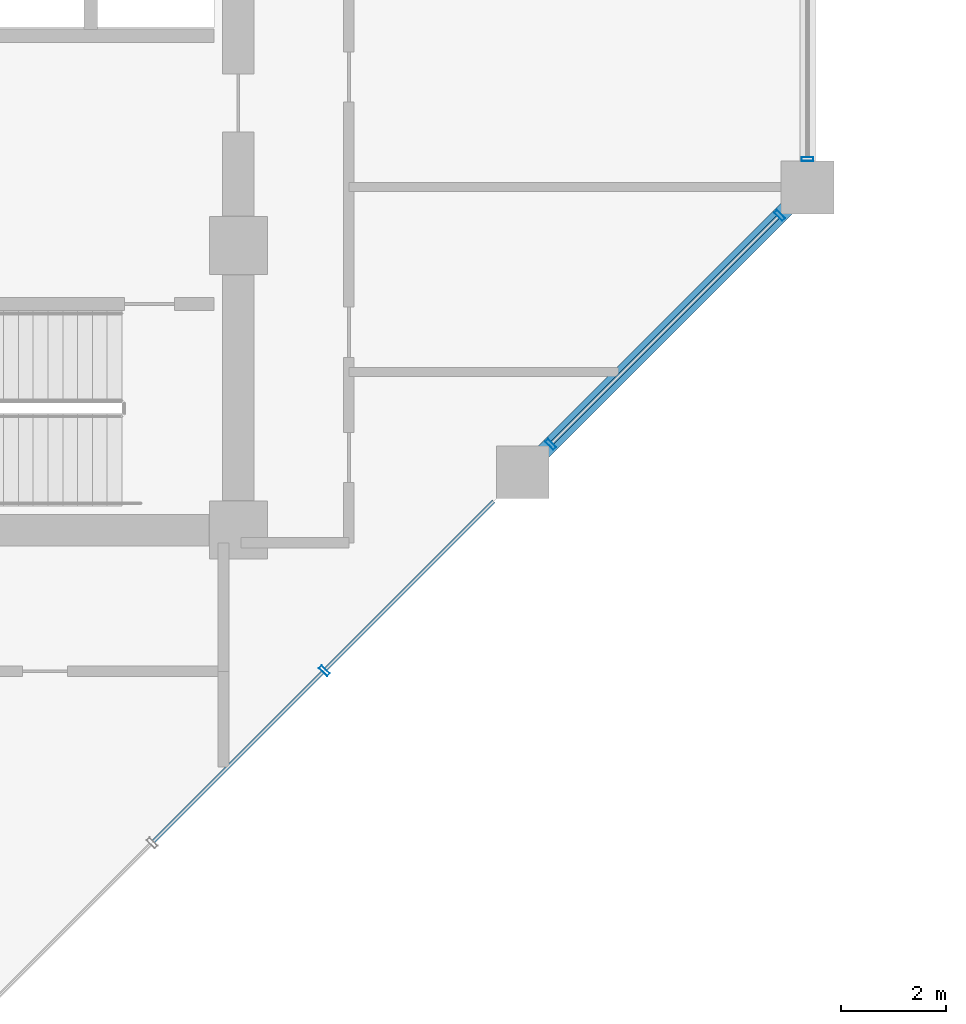
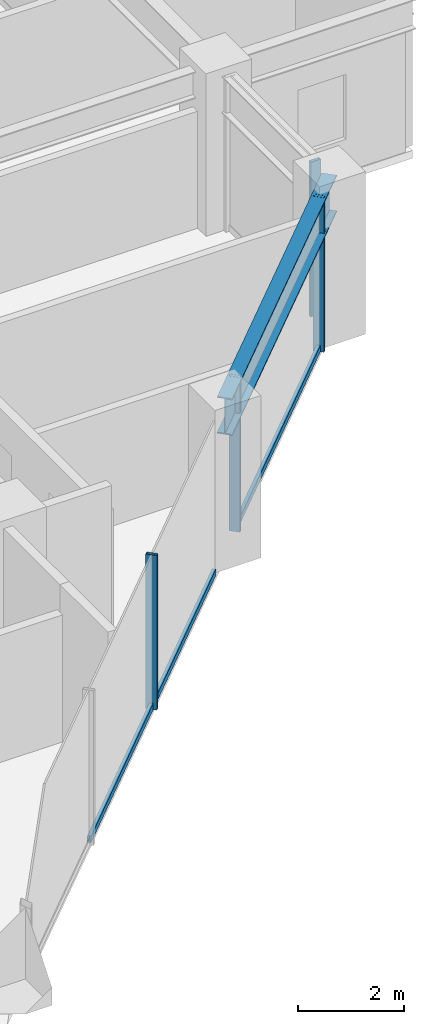
# One storey, part 8 of 26: 7 members, 1 beam, 2 elements without a shape of their own.
"""IFC4 building model written with IfcOpenShell, lengths in metres."""

from ifc_helpers import new_model, si_unit, direction, frame, origin, origin_2d, place, context, subcontext, project, spatial, hollow_rectangle, i_section, extrude, material, layer, layer_set, material_profile, profile_set, type_object, element, aggregate, save


model = new_model("IFC4")

# Units and contexts
model_context = context("Model", 3, precision=1e-05, world=origin(), true_north=direction((0.0, 1.0)))
body_context = subcontext(model_context, "Body", "Model", "MODEL_VIEW")
ifc_project = project(units=[si_unit("LENGTHUNIT", "METRE"), si_unit("AREAUNIT", "SQUARE_METRE"), si_unit("VOLUMEUNIT", "CUBIC_METRE"), si_unit("PLANEANGLEUNIT", "RADIAN"), si_unit("MASSUNIT", "GRAM", prefix="KILO")], contexts=[model_context])

# Site, building, storey
site_placement = place(None, origin())
site = spatial("IfcSite", under=ifc_project, at=site_placement, CompositionType="ELEMENT")
building_placement = place(site_placement, origin())
building = spatial("IfcBuilding", under=site, at=building_placement, Name="Surkhivell Harbour Commons", CompositionType="ELEMENT")
storey_placement = place(building_placement, frame((0.0, 0.0, 147.0)))
storey = spatial("IfcBuildingStorey", under=building, at=storey_placement, Name="L38", CompositionType="ELEMENT", Elevation=147.0)

# Beam
ifc_material_1 = material(Name="Steel S460", Category="steel")
ifc_material_profile_1 = material_profile(ifc_material_1, i_section(OverallWidth=0.2939453125, OverallDepth=0.85107421875, WebThickness=0.01611328125, FlangeThickness=0.02685546875, at=origin_2d()), Name="UB838x292x226")
ifc_profile_set_1 = profile_set([ifc_material_profile_1], Name="Steel S460")
beam_type = type_object("IfcBeamType", Name="BM-SPN-838", PredefinedType="SPANDREL", material=ifc_profile_set_1)
beam_placement = place(storey_placement, frame((16.199951171875, -9.699951171875, 3.14453125), z_axis=(0.707122765516, 0.707090796496, 0.0), x_axis=(-0.707090796496, 0.707122765516, 0.0)))
element("IfcBeam", 1, at=beam_placement, inside=storey, type_object=beam_type, Name="L38 Tube Spandrel (16.2,-9.7)", PredefinedType="SPANDREL", context=body_context, shape_type="SweptSolid", body=[
    extrude(i_section(OverallWidth=0.2939453125, OverallDepth=0.85107421875, WebThickness=0.01611328125, FlangeThickness=0.02685546875, at=origin_2d()), origin(), (0.0, 0.0, 1.0), 7.63671875),
])

# Curtain wall, members
ifc_material_2 = material(Name="Anodised pale-metal aluminium and insulated glazing", Category="aluminium")
ifc_layer = layer(ifc_material_2, 0.205078125)
ifc_layer_set = layer_set([ifc_layer], Name="Anodised pale-metal aluminium and insulated glazing")
curtain_wall_type = type_object("IfcCurtainWallType", Name="CW-SYS-Z2", PredefinedType="NOTDEFINED", material=ifc_layer_set)
curtain_wall_1_placement = place(storey_placement, origin())
curtain_wall_1 = element("IfcCurtainWall", 2, at=curtain_wall_1_placement, inside=storey, type_object=curtain_wall_type, Name="L38 Curtain Wall CW-L38-E01", PredefinedType="NOTDEFINED")
ifc_material_3 = material(Name="Anodised pale-metal aluminium alloy 6063-T6", Category="aluminium")
ifc_material_profile_2 = material_profile(ifc_material_3, hollow_rectangle(XDim=0.074951171875, YDim=0.219970703125, WallThickness=0.00390625, at=origin_2d()), Name="ALU-MULL-75x220")
ifc_profile_set_2 = profile_set([ifc_material_profile_2], Name="Anodised pale-metal aluminium alloy 6063-T6")
member_type_1 = type_object("IfcMemberType", Name="CWM-220", PredefinedType="MULLION", material=ifc_profile_set_2)
member_1_placement = place(storey_placement, frame((12.432861328125, -13.46728515625, 0.0), z_axis=(0.0, 0.0, 1.0), x_axis=(0.707106781187, 0.707106781187, 0.0)))
member_1 = element("IfcMember", 3, at=member_1_placement, type_object=member_type_1, Name="CW-Z2 mullion 4", PredefinedType="MULLION", context=body_context, shape_type="SweptSolid", body=[
    extrude(hollow_rectangle(XDim=0.074951171875, YDim=0.219970703125, WallThickness=0.00390625, at=origin_2d()), origin(), (0.0, 0.0, 1.0), 3.570068359375),
])
member_2_placement = place(storey_placement, frame((16.728271484375, -9.171875, 0.0), z_axis=(0.0, 0.0, 1.0), x_axis=(0.707106781187, 0.707106781187, 0.0)))
member_2 = element("IfcMember", 4, at=member_2_placement, type_object=member_type_1, Name="CW-Z2 mullion 5", PredefinedType="MULLION", context=body_context, shape_type="SweptSolid", body=[
    extrude(hollow_rectangle(XDim=0.074951171875, YDim=0.219970703125, WallThickness=0.00390625, at=origin_2d()), origin(), (0.0, 0.0, 1.0), 3.570068359375),
])
member_3_placement = place(storey_placement, frame((21.07177734375, -4.828125, 0.0), z_axis=(0.0, 0.0, 1.0), x_axis=(0.707106781187, 0.707106781187, 0.0)))
member_3 = element("IfcMember", 5, at=member_3_placement, type_object=member_type_1, Name="CW-Z2 mullion 6", PredefinedType="MULLION", context=body_context, shape_type="SweptSolid", body=[
    extrude(hollow_rectangle(XDim=0.074951171875, YDim=0.219970703125, WallThickness=0.00390625, at=origin_2d()), origin(), (0.0, 0.0, 1.0), 3.570068359375),
])

# Curtain wall, member
curtain_wall_2_placement = place(storey_placement, origin())
curtain_wall_2 = element("IfcCurtainWall", 6, at=curtain_wall_2_placement, inside=storey, type_object=curtain_wall_type, Name="L38 Curtain Wall CW-L38-E02R1", PredefinedType="NOTDEFINED")
member_4_placement = place(storey_placement, frame((21.60009765625, -3.760498046875, 0.0), z_axis=(0.0, 0.0, 1.0), x_axis=(0.0, 1.0, 0.0)))
member_4 = element("IfcMember", 7, at=member_4_placement, type_object=member_type_1, Name="CW-Z2 mullion 1", PredefinedType="MULLION", context=body_context, shape_type="SweptSolid", body=[
    extrude(hollow_rectangle(XDim=0.074951171875, YDim=0.219970703125, WallThickness=0.00390625, at=origin_2d()), origin(), (0.0, 0.0, 1.0), 3.570068359375),
])
aggregate(curtain_wall_2, [member_4])

# Member
ifc_material_profile_3 = material_profile(ifc_material_3, hollow_rectangle(XDim=0.074951171875, YDim=0.14990234375, WallThickness=0.00341796875, at=origin_2d()), Name="ALU-TRAN-75x150")
ifc_profile_set_3 = profile_set([ifc_material_profile_3], Name="Anodised pale-metal aluminium alloy 6063-T6")
member_type_2 = type_object("IfcMemberType", Name="CWT-150", PredefinedType="USERDEFINED", material=ifc_profile_set_3)
member_5_placement = place(storey_placement, frame((9.19384765625, -16.706298828125, 0.074951171875), z_axis=(0.707079911854, 0.707133649498, 0.0), x_axis=(-0.707133649498, 0.707079911854, 0.0)))
member_5 = element("IfcMember", 8, at=member_5_placement, type_object=member_type_2, Name="CW-Z2 transom 3.1", ObjectType="TRANSOM", PredefinedType="USERDEFINED", context=body_context, shape_type="SweptSolid", body=[
    extrude(hollow_rectangle(XDim=0.074951171875, YDim=0.14990234375, WallThickness=0.00341796875, at=origin_2d()), origin(), (0.0, 0.0, 1.0), 4.543212890625),
])

member_6_placement = place(storey_placement, frame((12.459228515625, -13.440673828125, 0.074951171875), z_axis=(0.707106781187, 0.707106781187, 0.0), x_axis=(-0.707106781187, 0.707106781187, 0.0)))
member_6 = element("IfcMember", 9, at=member_6_placement, type_object=member_type_2, Name="CW-Z2 transom 4.1", ObjectType="TRANSOM", PredefinedType="USERDEFINED", context=body_context, shape_type="SweptSolid", body=[
    extrude(hollow_rectangle(XDim=0.074951171875, YDim=0.14990234375, WallThickness=0.00341796875, at=origin_2d()), origin(), (0.0, 0.0, 1.0), 4.505615234375),
])

member_7_placement = place(storey_placement, frame((16.754638671875, -9.145263671875, 0.074951171875), z_axis=(0.707106781187, 0.707106781187, 0.0), x_axis=(-0.707106781187, 0.707106781187, 0.0)))
member_7 = element("IfcMember", 10, at=member_7_placement, type_object=member_type_2, Name="CW-Z2 transom 5.1", ObjectType="TRANSOM", PredefinedType="USERDEFINED", context=body_context, shape_type="SweptSolid", body=[
    extrude(hollow_rectangle(XDim=0.074951171875, YDim=0.14990234375, WallThickness=0.00341796875, at=origin_2d()), origin(), (0.0, 0.0, 1.0), 6.067626953125),
])

aggregate(curtain_wall_1, [member_1, member_5, member_6, member_2, member_3, member_7])

save(model, "model.ifc")
